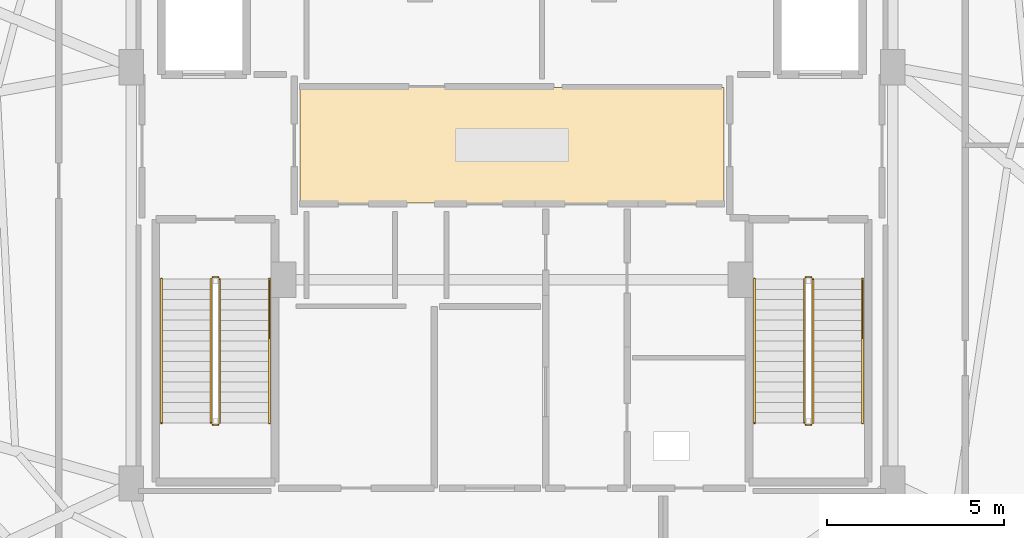
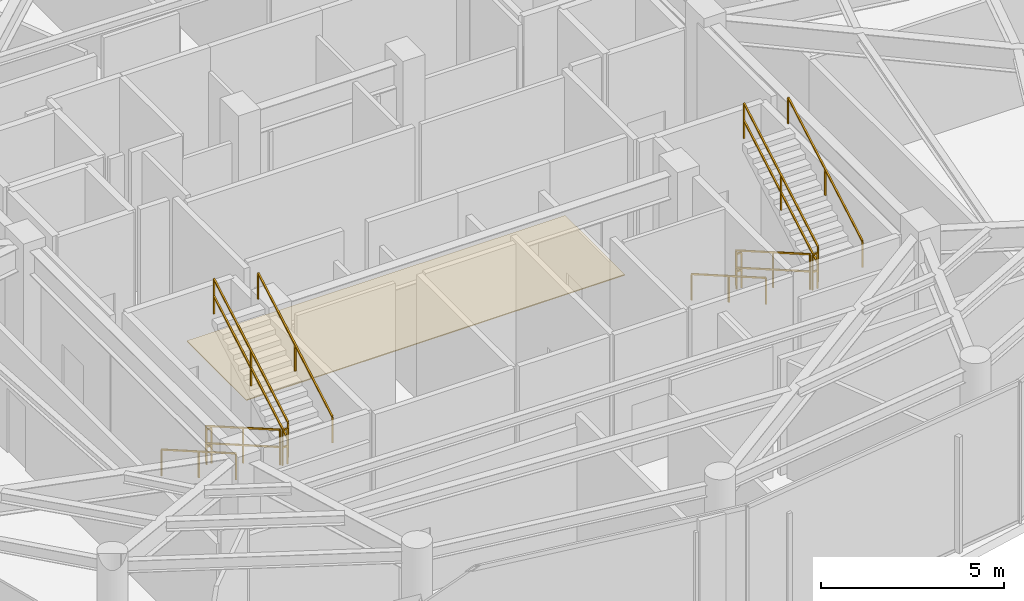
# One storey, part 23 of 24: 12 railings, 1 covering.
"""IFC4 building model written with IfcOpenShell, lengths in metres."""

from ifc_helpers import new_model, si_unit, direction, frame, origin, origin_2d, place, context, subcontext, project, spatial, polyline, rectangle, outline, extrude, material, layer, layer_set, type_object, element, save


model = new_model("IFC4")

# Units and contexts
model_context = context("Model", 3, precision=1e-05, world=origin(), true_north=direction((0.0, 1.0)))
body_context = subcontext(model_context, "Body", "Model", "MODEL_VIEW")
ifc_project = project(units=[si_unit("LENGTHUNIT", "METRE"), si_unit("AREAUNIT", "SQUARE_METRE"), si_unit("VOLUMEUNIT", "CUBIC_METRE"), si_unit("PLANEANGLEUNIT", "RADIAN"), si_unit("MASSUNIT", "GRAM", prefix="KILO")], contexts=[model_context])

# Site, building, storey
site_placement = place(None, origin())
site = spatial("IfcSite", under=ifc_project, at=site_placement, CompositionType="ELEMENT")
building_placement = place(site_placement, origin())
building = spatial("IfcBuilding", under=site, at=building_placement, Name="Vorneva Point Tower", CompositionType="ELEMENT")
storey_placement = place(building_placement, frame((0.0, 0.0, 285.39990234375)))
storey = spatial("IfcBuildingStorey", under=building, at=storey_placement, Name="L77", CompositionType="ELEMENT", Elevation=285.39990234375)

# Covering
ifc_material_1 = material(Name="Polished Ural granite terrazzo", Category="masonry")
ifc_layer = layer(ifc_material_1, 0.02490234375)
ifc_layer_set = layer_set([ifc_layer], Name="Polished Ural granite terrazzo")
covering_type = type_object("IfcCoveringType", Name="COV-FLR-TRZ", PredefinedType="FLOORING", material=ifc_layer_set)
covering_placement = place(storey_placement, frame((0.0, 0.0, -0.0048828125)))
element("IfcCovering", 1, at=covering_placement, inside=storey, type_object=covering_type, Name="L77 Lift Lobby Floor Finish", PredefinedType="FLOORING", context=body_context, shape_type="SweptSolid", body=[
    extrude(outline(polyline([(32.02001953125, 24.3701171875), (43.97998046875, 24.3701171875), (43.97998046875, 27.6298828125), (32.02001953125, 27.6298828125), (32.02001953125, 24.3701171875)])), origin(), (0.0, 0.0, 1.0), 0.030029296875),
])

# Railings
ifc_material_2 = material(Name="Brushed stainless steel S304", Category="steel")
railing_type_1 = type_object("IfcRailingType", Name="RL-HND-920", PredefinedType="HANDRAIL", material=ifc_material_2)
railing_1_placement = place(storey_placement, frame((28.10009765625, 22.219970703125, 0.166748046875)))
element("IfcRailing", 2, at=railing_1_placement, inside=storey, type_object=railing_type_1, Name="L77 ST1 stair handrail 1", PredefinedType="HANDRAIL", context=body_context, shape_type="SweptSolid", body=[
    extrude(rectangle(XDim=0.048095703125, YDim=0.048095703125, at=origin_2d()), frame((0.0, 0.0, 0.8759765625), z_axis=(0.0, -0.867024558463, 0.498265406207), x_axis=(1.0, 0.0, 0.0)), (0.0, 0.0, 1.0), 4.682861328125),
    extrude(rectangle(XDim=0.0419921875, YDim=0.0419921875, at=origin_2d()), origin(), (0.0, 0.0, 1.0), 0.851806640625),
    extrude(rectangle(XDim=0.0419921875, YDim=0.0419921875, at=origin_2d()), frame((0.0, -2.030029296875, 1.16650390625)), (0.0, 0.0, 1.0), 0.851806640625),
    extrude(rectangle(XDim=0.0419921875, YDim=0.0419921875, at=origin_2d()), frame((0.0, -4.06005859375, 2.333251953125)), (0.0, 0.0, 1.0), 0.851806640625),
])
railing_2_placement = place(storey_placement, frame((31.14990234375, 18.159912109375, 2.666748046875)))
element("IfcRailing", 3, at=railing_2_placement, inside=storey, type_object=railing_type_1, Name="L77 ST1 stair handrail 2", PredefinedType="HANDRAIL", context=body_context, shape_type="SweptSolid", body=[
    extrude(rectangle(XDim=0.048095703125, YDim=0.048095703125, at=origin_2d()), frame((0.0, 0.0, 0.8759765625), z_axis=(0.0, 0.867024558463, 0.498265406207), x_axis=(-1.0, 0.0, 0.0)), (0.0, 0.0, 1.0), 4.682861328125),
    extrude(rectangle(XDim=0.0419921875, YDim=0.0419921875, at=origin_2d()), origin(), (0.0, 0.0, 1.0), 0.851806640625),
    extrude(rectangle(XDim=0.0419921875, YDim=0.0419921875, at=origin_2d()), frame((0.0, 2.030029296875, 1.16650390625)), (0.0, 0.0, 1.0), 0.851806640625),
    extrude(rectangle(XDim=0.0419921875, YDim=0.0419921875, at=origin_2d()), frame((0.0, 4.06005859375, 2.333251953125)), (0.0, 0.0, 1.0), 0.851806640625),
])
railing_3_placement = place(storey_placement, frame((44.85009765625, 22.219970703125, 0.166748046875)))
element("IfcRailing", 4, at=railing_3_placement, inside=storey, type_object=railing_type_1, Name="L77 ST2 stair handrail 1", PredefinedType="HANDRAIL", context=body_context, shape_type="SweptSolid", body=[
    extrude(rectangle(XDim=0.048095703125, YDim=0.048095703125, at=origin_2d()), frame((0.0, 0.0, 0.8759765625), z_axis=(0.0, -0.867024558463, 0.498265406207), x_axis=(1.0, 0.0, 0.0)), (0.0, 0.0, 1.0), 4.682861328125),
    extrude(rectangle(XDim=0.0419921875, YDim=0.0419921875, at=origin_2d()), origin(), (0.0, 0.0, 1.0), 0.851806640625),
    extrude(rectangle(XDim=0.0419921875, YDim=0.0419921875, at=origin_2d()), frame((0.0, -2.030029296875, 1.16650390625)), (0.0, 0.0, 1.0), 0.851806640625),
    extrude(rectangle(XDim=0.0419921875, YDim=0.0419921875, at=origin_2d()), frame((0.0, -4.06005859375, 2.333251953125)), (0.0, 0.0, 1.0), 0.851806640625),
])
railing_4_placement = place(storey_placement, frame((47.89990234375, 18.159912109375, 2.666748046875)))
element("IfcRailing", 5, at=railing_4_placement, inside=storey, type_object=railing_type_1, Name="L77 ST2 stair handrail 2", PredefinedType="HANDRAIL", context=body_context, shape_type="SweptSolid", body=[
    extrude(rectangle(XDim=0.048095703125, YDim=0.048095703125, at=origin_2d()), frame((0.0, 0.0, 0.8759765625), z_axis=(0.0, 0.867024558463, 0.498265406207), x_axis=(-1.0, 0.0, 0.0)), (0.0, 0.0, 1.0), 4.682861328125),
    extrude(rectangle(XDim=0.0419921875, YDim=0.0419921875, at=origin_2d()), origin(), (0.0, 0.0, 1.0), 0.851806640625),
    extrude(rectangle(XDim=0.0419921875, YDim=0.0419921875, at=origin_2d()), frame((0.0, 2.030029296875, 1.16650390625)), (0.0, 0.0, 1.0), 0.851806640625),
    extrude(rectangle(XDim=0.0419921875, YDim=0.0419921875, at=origin_2d()), frame((0.0, 4.06005859375, 2.333251953125)), (0.0, 0.0, 1.0), 0.851806640625),
])
railing_type_2 = type_object("IfcRailingType", Name="RL-STG-1100", PredefinedType="GUARDRAIL", material=ifc_material_2)
railing_5_placement = place(storey_placement, frame((29.5, 22.219970703125, 0.166748046875)))
element("IfcRailing", 6, at=railing_5_placement, inside=storey, type_object=railing_type_2, Name="L77 ST1 stair guard 1", PredefinedType="GUARDRAIL", context=body_context, shape_type="SweptSolid", body=[
    extrude(rectangle(XDim=0.048095703125, YDim=0.048095703125, at=origin_2d()), frame((0.0, 0.0, 1.17578125), z_axis=(0.0, -0.867024558463, 0.498265406207), x_axis=(1.0, 0.0, 0.0)), (0.0, 0.0, 1.0), 4.682861328125),
    extrude(rectangle(XDim=0.048095703125, YDim=0.048095703125, at=origin_2d()), frame((0.0, 0.0, 0.60009765625), z_axis=(0.0, -0.867024558463, 0.498265406207), x_axis=(1.0, 0.0, 0.0)), (0.0, 0.0, 1.0), 4.682861328125),
    extrude(rectangle(XDim=0.0419921875, YDim=0.0419921875, at=origin_2d()), origin(), (0.0, 0.0, 1.0), 1.15185546875),
    extrude(rectangle(XDim=0.0419921875, YDim=0.0419921875, at=origin_2d()), frame((0.0, -2.030029296875, 1.16650390625)), (0.0, 0.0, 1.0), 1.15185546875),
    extrude(rectangle(XDim=0.0419921875, YDim=0.0419921875, at=origin_2d()), frame((0.0, -4.06005859375, 2.333251953125)), (0.0, 0.0, 1.0), 1.15185546875),
])
railing_6_placement = place(storey_placement, frame((29.550048828125, 18.110107421875, 2.5)))
element("IfcRailing", 7, at=railing_6_placement, inside=storey, type_object=railing_type_2, Name="L77 ST1 stair guard 2", PredefinedType="GUARDRAIL", context=body_context, shape_type="SweptSolid", body=[
    extrude(rectangle(XDim=0.048095703125, YDim=0.048095703125, at=origin_2d()), frame((0.0, 0.0, 1.17578125), z_axis=(1.0, 0.0, 0.0), x_axis=(0.0, 1.0, 0.0)), (0.0, 0.0, 1.0), 0.14990234375),
    extrude(rectangle(XDim=0.048095703125, YDim=0.048095703125, at=origin_2d()), frame((0.0, 0.0, 0.60009765625), z_axis=(1.0, 0.0, 0.0), x_axis=(0.0, 1.0, 0.0)), (0.0, 0.0, 1.0), 0.14990234375),
    extrude(rectangle(XDim=0.0419921875, YDim=0.0419921875, at=origin_2d()), origin(), (0.0, 0.0, 1.0), 1.15185546875),
    extrude(rectangle(XDim=0.0419921875, YDim=0.0419921875, at=origin_2d()), frame((0.14990234375, 0.0, 0.0)), (0.0, 0.0, 1.0), 1.15185546875),
])
railing_7_placement = place(storey_placement, frame((29.75, 18.159912109375, 2.666748046875)))
element("IfcRailing", 8, at=railing_7_placement, inside=storey, type_object=railing_type_2, Name="L77 ST1 stair guard 3", PredefinedType="GUARDRAIL", context=body_context, shape_type="SweptSolid", body=[
    extrude(rectangle(XDim=0.048095703125, YDim=0.048095703125, at=origin_2d()), frame((0.0, 0.0, 1.17578125), z_axis=(0.0, 0.867024558463, 0.498265406207), x_axis=(-1.0, 0.0, 0.0)), (0.0, 0.0, 1.0), 4.682861328125),
    extrude(rectangle(XDim=0.048095703125, YDim=0.048095703125, at=origin_2d()), frame((0.0, 0.0, 0.60009765625), z_axis=(0.0, 0.867024558463, 0.498265406207), x_axis=(-1.0, 0.0, 0.0)), (0.0, 0.0, 1.0), 4.682861328125),
    extrude(rectangle(XDim=0.0419921875, YDim=0.0419921875, at=origin_2d()), origin(), (0.0, 0.0, 1.0), 1.15185546875),
    extrude(rectangle(XDim=0.0419921875, YDim=0.0419921875, at=origin_2d()), frame((0.0, 2.030029296875, 1.16650390625)), (0.0, 0.0, 1.0), 1.15185546875),
    extrude(rectangle(XDim=0.0419921875, YDim=0.0419921875, at=origin_2d()), frame((0.0, 4.06005859375, 2.333251953125)), (0.0, 0.0, 1.0), 1.15185546875),
])
railing_8_placement = place(storey_placement, frame((29.550048828125, 22.27001953125, 0.0)))
element("IfcRailing", 9, at=railing_8_placement, inside=storey, type_object=railing_type_2, Name="L77 ST1 stair guard 4", PredefinedType="GUARDRAIL", context=body_context, shape_type="SweptSolid", body=[
    extrude(rectangle(XDim=0.048095703125, YDim=0.048095703125, at=origin_2d()), frame((0.0, 0.0, 1.17578125), z_axis=(1.0, 0.0, 0.0), x_axis=(0.0, 1.0, 0.0)), (0.0, 0.0, 1.0), 0.14990234375),
    extrude(rectangle(XDim=0.048095703125, YDim=0.048095703125, at=origin_2d()), frame((0.0, 0.0, 0.60009765625), z_axis=(1.0, 0.0, 0.0), x_axis=(0.0, 1.0, 0.0)), (0.0, 0.0, 1.0), 0.14990234375),
    extrude(rectangle(XDim=0.0419921875, YDim=0.0419921875, at=origin_2d()), origin(), (0.0, 0.0, 1.0), 1.15185546875),
    extrude(rectangle(XDim=0.0419921875, YDim=0.0419921875, at=origin_2d()), frame((0.14990234375, 0.0, 0.0)), (0.0, 0.0, 1.0), 1.15185546875),
])
railing_9_placement = place(storey_placement, frame((46.25, 22.219970703125, 0.166748046875)))
element("IfcRailing", 10, at=railing_9_placement, inside=storey, type_object=railing_type_2, Name="L77 ST2 stair guard 1", PredefinedType="GUARDRAIL", context=body_context, shape_type="SweptSolid", body=[
    extrude(rectangle(XDim=0.048095703125, YDim=0.048095703125, at=origin_2d()), frame((0.0, 0.0, 1.17578125), z_axis=(0.0, -0.867024558463, 0.498265406207), x_axis=(1.0, 0.0, 0.0)), (0.0, 0.0, 1.0), 4.682861328125),
    extrude(rectangle(XDim=0.048095703125, YDim=0.048095703125, at=origin_2d()), frame((0.0, 0.0, 0.60009765625), z_axis=(0.0, -0.867024558463, 0.498265406207), x_axis=(1.0, 0.0, 0.0)), (0.0, 0.0, 1.0), 4.682861328125),
    extrude(rectangle(XDim=0.0419921875, YDim=0.0419921875, at=origin_2d()), origin(), (0.0, 0.0, 1.0), 1.15185546875),
    extrude(rectangle(XDim=0.0419921875, YDim=0.0419921875, at=origin_2d()), frame((0.0, -2.030029296875, 1.16650390625)), (0.0, 0.0, 1.0), 1.15185546875),
    extrude(rectangle(XDim=0.0419921875, YDim=0.0419921875, at=origin_2d()), frame((0.0, -4.06005859375, 2.333251953125)), (0.0, 0.0, 1.0), 1.15185546875),
])
railing_10_placement = place(storey_placement, frame((46.300048828125, 18.110107421875, 2.5)))
element("IfcRailing", 11, at=railing_10_placement, inside=storey, type_object=railing_type_2, Name="L77 ST2 stair guard 2", PredefinedType="GUARDRAIL", context=body_context, shape_type="SweptSolid", body=[
    extrude(rectangle(XDim=0.048095703125, YDim=0.048095703125, at=origin_2d()), frame((0.0, 0.0, 1.17578125), z_axis=(1.0, 0.0, 0.0), x_axis=(0.0, 1.0, 0.0)), (0.0, 0.0, 1.0), 0.14990234375),
    extrude(rectangle(XDim=0.048095703125, YDim=0.048095703125, at=origin_2d()), frame((0.0, 0.0, 0.60009765625), z_axis=(1.0, 0.0, 0.0), x_axis=(0.0, 1.0, 0.0)), (0.0, 0.0, 1.0), 0.14990234375),
    extrude(rectangle(XDim=0.0419921875, YDim=0.0419921875, at=origin_2d()), origin(), (0.0, 0.0, 1.0), 1.15185546875),
    extrude(rectangle(XDim=0.0419921875, YDim=0.0419921875, at=origin_2d()), frame((0.14990234375, 0.0, 0.0)), (0.0, 0.0, 1.0), 1.15185546875),
])
railing_11_placement = place(storey_placement, frame((46.5, 18.159912109375, 2.666748046875)))
element("IfcRailing", 12, at=railing_11_placement, inside=storey, type_object=railing_type_2, Name="L77 ST2 stair guard 3", PredefinedType="GUARDRAIL", context=body_context, shape_type="SweptSolid", body=[
    extrude(rectangle(XDim=0.048095703125, YDim=0.048095703125, at=origin_2d()), frame((0.0, 0.0, 1.17578125), z_axis=(0.0, 0.867024558463, 0.498265406207), x_axis=(-1.0, 0.0, 0.0)), (0.0, 0.0, 1.0), 4.682861328125),
    extrude(rectangle(XDim=0.048095703125, YDim=0.048095703125, at=origin_2d()), frame((0.0, 0.0, 0.60009765625), z_axis=(0.0, 0.867024558463, 0.498265406207), x_axis=(-1.0, 0.0, 0.0)), (0.0, 0.0, 1.0), 4.682861328125),
    extrude(rectangle(XDim=0.0419921875, YDim=0.0419921875, at=origin_2d()), origin(), (0.0, 0.0, 1.0), 1.15185546875),
    extrude(rectangle(XDim=0.0419921875, YDim=0.0419921875, at=origin_2d()), frame((0.0, 2.030029296875, 1.16650390625)), (0.0, 0.0, 1.0), 1.15185546875),
    extrude(rectangle(XDim=0.0419921875, YDim=0.0419921875, at=origin_2d()), frame((0.0, 4.06005859375, 2.333251953125)), (0.0, 0.0, 1.0), 1.15185546875),
])
railing_12_placement = place(storey_placement, frame((46.300048828125, 22.27001953125, 0.0)))
element("IfcRailing", 13, at=railing_12_placement, inside=storey, type_object=railing_type_2, Name="L77 ST2 stair guard 4", PredefinedType="GUARDRAIL", context=body_context, shape_type="SweptSolid", body=[
    extrude(rectangle(XDim=0.048095703125, YDim=0.048095703125, at=origin_2d()), frame((0.0, 0.0, 1.17578125), z_axis=(1.0, 0.0, 0.0), x_axis=(0.0, 1.0, 0.0)), (0.0, 0.0, 1.0), 0.14990234375),
    extrude(rectangle(XDim=0.048095703125, YDim=0.048095703125, at=origin_2d()), frame((0.0, 0.0, 0.60009765625), z_axis=(1.0, 0.0, 0.0), x_axis=(0.0, 1.0, 0.0)), (0.0, 0.0, 1.0), 0.14990234375),
    extrude(rectangle(XDim=0.0419921875, YDim=0.0419921875, at=origin_2d()), origin(), (0.0, 0.0, 1.0), 1.15185546875),
    extrude(rectangle(XDim=0.0419921875, YDim=0.0419921875, at=origin_2d()), frame((0.14990234375, 0.0, 0.0)), (0.0, 0.0, 1.0), 1.15185546875),
])

save(model, "model.ifc")
